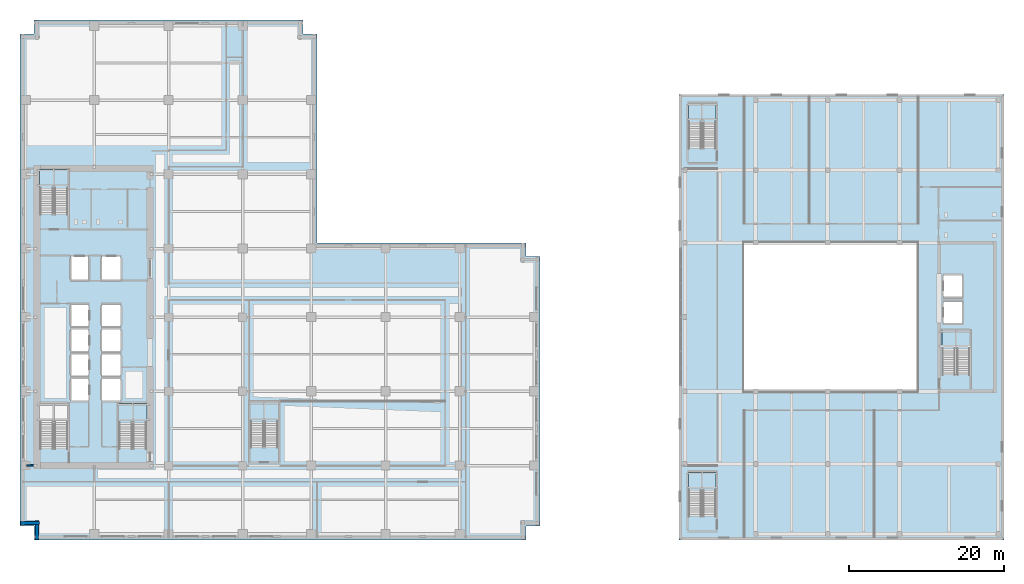
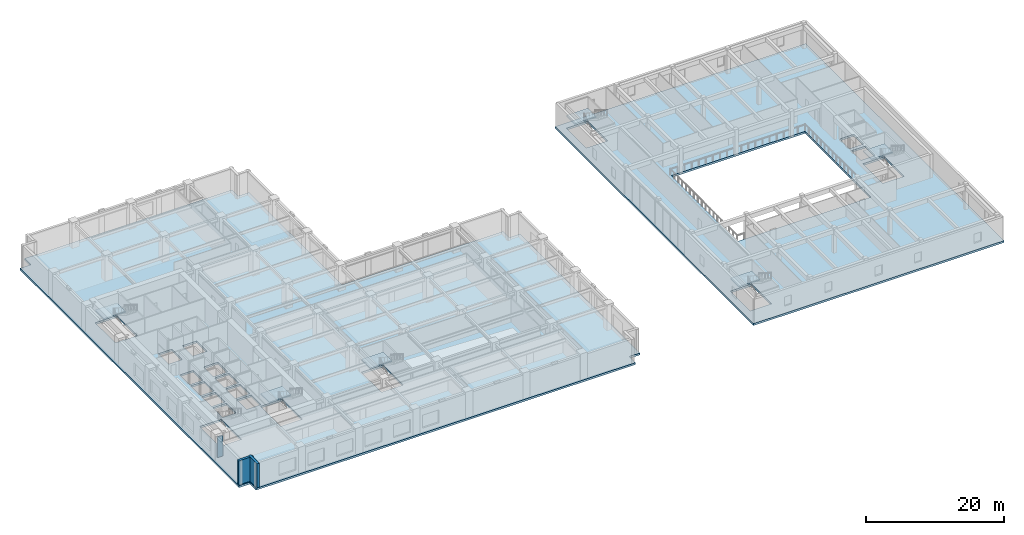
# One storey, part 4 of 24: 8 slabs, 3 walls, 6 elements without a shape of their own.
"""IFC4 building model written with IfcOpenShell, lengths in metres."""

from ifc_helpers import new_model, si_unit, direction, frame, frame_2d, origin, place, context, subcontext, project, spatial, polyline, rectangle, outline, extrude, material, layer, layer_set, type_object, element, aggregate, save


model = new_model("IFC4")

# Units and contexts
model_context = context("Model", 3, precision=1e-05, world=origin(), true_north=direction((0.0, 1.0)))
body_context = subcontext(model_context, "Body", "Model", "MODEL_VIEW")
ifc_project = project(units=[si_unit("LENGTHUNIT", "METRE"), si_unit("AREAUNIT", "SQUARE_METRE"), si_unit("VOLUMEUNIT", "CUBIC_METRE"), si_unit("PLANEANGLEUNIT", "RADIAN"), si_unit("MASSUNIT", "GRAM", prefix="KILO")], contexts=[model_context])

# Site, building, storey
site_placement = place(None, origin())
site = spatial("IfcSite", under=ifc_project, at=site_placement, CompositionType="ELEMENT")
building_placement = place(site_placement, origin())
building = spatial("IfcBuilding", under=site, at=building_placement, Name="Norrvale University Quadrangle", CompositionType="ELEMENT")
storey_placement = place(building_placement, frame((0.0, 0.0, 15.0)))
storey = spatial("IfcBuildingStorey", under=building, at=storey_placement, Name="L03", CompositionType="ELEMENT", Elevation=15.0)

# Stair, slab
ifc_material_1 = material(Name="Concrete C40/50", Category="concrete")
stair_type_1 = type_object("IfcStairType", Name="Stair Tower Pod 4600", PredefinedType="TWO_STRAIGHT_RUN_STAIR", material=ifc_material_1)
stair_1_placement = place(storey_placement, origin())
stair_1 = element("IfcStair", 1, at=stair_1_placement, inside=storey, type_object=stair_type_1, Name="Exit Stair ST-02 L03", PredefinedType="TWO_STRAIGHT_RUN_STAIR")
ifc_layer_1 = layer(ifc_material_1, 0.199951171875, Name="Concrete C40/50")
ifc_layer_set_1 = layer_set([ifc_layer_1], Name="Concrete C40/50")
slab_type_1 = type_object("IfcSlabType", Name="Slab Landing 200", PredefinedType="LANDING", material=ifc_layer_set_1)
slab_1_placement = place(storey_placement, frame((0.0, 0.0, 2.10009765625)))
slab_1 = element("IfcSlab", 2, at=slab_1_placement, type_object=slab_type_1, Name="Exit Stair ST-02 L03 Mid Landing", PredefinedType="LANDING", context=body_context, shape_type="SweptSolid", body=[
    extrude(outline(polyline([(2.550048828125, 45.409912109375), (6.199951171875, 45.409912109375), (6.199951171875, 47.949951171875), (2.550048828125, 47.949951171875), (2.550048828125, 45.409912109375)])), origin(), (0.0, 0.0, 1.0), 0.199951171875),
])
aggregate(stair_1, [slab_1])

stair_2_placement = place(storey_placement, origin())
stair_2 = element("IfcStair", 3, at=stair_2_placement, inside=storey, type_object=stair_type_1, Name="Exit Stair ST-03 L03", PredefinedType="TWO_STRAIGHT_RUN_STAIR")
slab_2_placement = place(storey_placement, frame((0.0, 0.0, 2.10009765625)))
slab_2 = element("IfcSlab", 4, at=slab_2_placement, type_object=slab_type_1, Name="Exit Stair ST-03 L03 Mid Landing", PredefinedType="LANDING", context=body_context, shape_type="SweptSolid", body=[
    extrude(outline(polyline([(12.75, 15.110107421875), (16.39990234375, 15.110107421875), (16.39990234375, 17.64990234375), (12.75, 17.64990234375), (12.75, 15.110107421875)])), origin(), (0.0, 0.0, 1.0), 0.199951171875),
])
aggregate(stair_2, [slab_2])

stair_3_placement = place(storey_placement, origin())
stair_3 = element("IfcStair", 5, at=stair_3_placement, inside=storey, type_object=stair_type_1, Name="Exit Stair ST-04 L03", PredefinedType="TWO_STRAIGHT_RUN_STAIR")
slab_3_placement = place(storey_placement, frame((0.0, 0.0, 2.10009765625)))
slab_3 = element("IfcSlab", 6, at=slab_3_placement, type_object=slab_type_1, Name="Exit Stair ST-04 L03 Mid Landing", PredefinedType="LANDING", context=body_context, shape_type="SweptSolid", body=[
    extrude(outline(polyline([(29.75, 15.260009765625), (33.39990234375, 15.260009765625), (33.39990234375, 17.800048828125), (29.75, 17.800048828125), (29.75, 15.260009765625)])), origin(), (0.0, 0.0, 1.0), 0.199951171875),
])
aggregate(stair_3, [slab_3])

stair_type_2 = type_object("IfcStairType", Name="Stair Lib 4600", PredefinedType="TWO_STRAIGHT_RUN_STAIR", material=ifc_material_1)
stair_4_placement = place(storey_placement, origin())
stair_4 = element("IfcStair", 7, at=stair_4_placement, inside=storey, type_object=stair_type_2, Name="Exit Stair ST-L1 L03", PredefinedType="TWO_STRAIGHT_RUN_STAIR")
slab_4_placement = place(storey_placement, frame((0.0, 0.0, 2.10009765625)))
slab_4 = element("IfcSlab", 8, at=slab_4_placement, type_object=slab_type_1, Name="Exit Stair ST-L1 L03 Mid Landing", PredefinedType="LANDING", context=body_context, shape_type="SweptSolid", body=[
    extrude(outline(polyline([(119.199951171875, 24.659912109375), (122.800048828125, 24.659912109375), (122.800048828125, 27.10009765625), (119.199951171875, 27.10009765625), (119.199951171875, 24.659912109375)])), origin(), (0.0, 0.0, 1.0), 0.199951171875),
])
aggregate(stair_4, [slab_4])

stair_5_placement = place(storey_placement, origin())
stair_5 = element("IfcStair", 9, at=stair_5_placement, inside=storey, type_object=stair_type_2, Name="Exit Stair ST-L2 L03", PredefinedType="TWO_STRAIGHT_RUN_STAIR")
slab_5_placement = place(storey_placement, frame((0.0, 0.0, 2.10009765625)))
slab_5 = element("IfcSlab", 10, at=slab_5_placement, type_object=slab_type_1, Name="Exit Stair ST-L2 L03 Mid Landing", PredefinedType="LANDING", context=body_context, shape_type="SweptSolid", body=[
    extrude(outline(polyline([(86.39990234375, 6.360107421875), (90.0, 6.360107421875), (90.0, 8.800048828125), (86.39990234375, 8.800048828125), (86.39990234375, 6.360107421875)])), origin(), (0.0, 0.0, 1.0), 0.199951171875),
])
aggregate(stair_5, [slab_5])

stair_6_placement = place(storey_placement, origin())
stair_6 = element("IfcStair", 11, at=stair_6_placement, inside=storey, type_object=stair_type_2, Name="Exit Stair ST-L3 L03", PredefinedType="TWO_STRAIGHT_RUN_STAIR")
slab_6_placement = place(storey_placement, frame((0.0, 0.0, 2.10009765625)))
slab_6 = element("IfcSlab", 12, at=slab_6_placement, type_object=slab_type_1, Name="Exit Stair ST-L3 L03 Mid Landing", PredefinedType="LANDING", context=body_context, shape_type="SweptSolid", body=[
    extrude(outline(polyline([(86.39990234375, 53.9599609375), (90.0, 53.9599609375), (90.0, 56.39990234375), (86.39990234375, 56.39990234375), (86.39990234375, 53.9599609375)])), origin(), (0.0, 0.0, 1.0), 0.199951171875),
])
aggregate(stair_6, [slab_6])

# Slabs
ifc_layer_2 = layer(ifc_material_1, 0.35009765625, Name="Concrete C40/50")
ifc_layer_set_2 = layer_set([ifc_layer_2], Name="Concrete C40/50")
slab_type_2 = type_object("IfcSlabType", Name="Slab Lib Stack 350", PredefinedType="FLOOR", material=ifc_layer_set_2)
slab_7_placement = place(storey_placement, frame((0.0, 0.0, -0.35009765625)))
element("IfcSlab", 13, at=slab_7_placement, inside=storey, type_object=slab_type_2, Name="Central Library L03 Floor Slab", PredefinedType="FLOOR", context=body_context, shape_type="SweptSolid", body=[
    extrude(outline(polyline([(85.199951171875, 0.0), (127.199951171875, 0.0), (127.199951171875, 57.60009765625), (85.199951171875, 57.60009765625), (85.199951171875, 0.0)]), holes=[polyline([(119.199951171875, 21.360107421875), (122.800048828125, 21.360107421875), (122.800048828125, 27.10009765625), (119.199951171875, 27.10009765625), (119.199951171875, 21.360107421875)]), polyline([(86.39990234375, 3.06005859375), (90.0, 3.06005859375), (90.0, 8.800048828125), (86.39990234375, 8.800048828125), (86.39990234375, 3.06005859375)]), polyline([(86.39990234375, 50.659912109375), (90.0, 50.659912109375), (90.0, 56.39990234375), (86.39990234375, 56.39990234375), (86.39990234375, 50.659912109375)]), polyline([(119.39990234375, 28.0), (121.800048828125, 28.0), (121.800048828125, 30.800048828125), (119.39990234375, 30.800048828125), (119.39990234375, 28.0)]), polyline([(119.39990234375, 31.39990234375), (121.800048828125, 31.39990234375), (121.800048828125, 34.199951171875), (119.39990234375, 34.199951171875), (119.39990234375, 31.39990234375)]), polyline([(93.60009765625, 19.199951171875), (116.0, 19.199951171875), (116.0, 38.39990234375), (93.60009765625, 38.39990234375), (93.60009765625, 19.199951171875)])]), origin(), (0.0, 0.0, 1.0), 0.35009765625),
])
ifc_layer_3 = layer(ifc_material_1, 0.340087890625, Name="Concrete C40/50")
ifc_layer_set_3 = layer_set([ifc_layer_3], Name="Concrete C40/50")
slab_type_3 = type_object("IfcSlabType", Name="Slab Podium 340", PredefinedType="FLOOR", material=ifc_layer_set_3)
slab_8_placement = place(storey_placement, frame((0.0, 0.0, -0.340087890625)))
element("IfcSlab", 14, at=slab_8_placement, inside=storey, type_object=slab_type_3, Name="Tower L03 Floor Slab", PredefinedType="FLOOR", context=body_context, shape_type="SweptSolid", body=[
    extrude(outline(polyline([(1.800048828125, 0.0), (65.39990234375, 0.0), (65.39990234375, 1.800048828125), (67.199951171875, 1.800048828125), (67.199951171875, 36.60009765625), (65.39990234375, 36.60009765625), (65.39990234375, 38.39990234375), (38.39990234375, 38.39990234375), (38.39990234375, 65.39990234375), (36.60009765625, 65.39990234375), (36.60009765625, 67.199951171875), (1.800048828125, 67.199951171875), (1.800048828125, 65.39990234375), (0.0, 65.39990234375), (0.0, 1.800048828125), (1.800048828125, 1.800048828125), (1.800048828125, 0.0)]), holes=[polyline([(2.550048828125, 11.81005859375), (6.199951171875, 11.81005859375), (6.199951171875, 17.64990234375), (2.550048828125, 17.64990234375), (2.550048828125, 11.81005859375)]), polyline([(2.550048828125, 42.110107421875), (6.199951171875, 42.110107421875), (6.199951171875, 47.949951171875), (2.550048828125, 47.949951171875), (2.550048828125, 42.110107421875)]), polyline([(12.75, 11.81005859375), (16.39990234375, 11.81005859375), (16.39990234375, 17.64990234375), (12.75, 17.64990234375), (12.75, 11.81005859375)]), polyline([(29.75, 11.9599609375), (33.39990234375, 11.9599609375), (33.39990234375, 17.800048828125), (29.75, 17.800048828125), (29.75, 11.9599609375)]), polyline([(6.60009765625, 18.0), (8.85009765625, 18.0), (8.85009765625, 20.800048828125), (6.60009765625, 20.800048828125), (6.60009765625, 18.0)]), polyline([(6.60009765625, 21.199951171875), (8.85009765625, 21.199951171875), (8.85009765625, 24.0), (6.60009765625, 24.0), (6.60009765625, 21.199951171875)]), polyline([(6.60009765625, 24.39990234375), (8.85009765625, 24.39990234375), (8.85009765625, 27.199951171875), (6.60009765625, 27.199951171875), (6.60009765625, 24.39990234375)]), polyline([(6.60009765625, 27.60009765625), (8.85009765625, 27.60009765625), (8.85009765625, 30.39990234375), (6.60009765625, 30.39990234375), (6.60009765625, 27.60009765625)]), polyline([(10.60009765625, 18.0), (13.0, 18.0), (13.0, 20.800048828125), (10.60009765625, 20.800048828125), (10.60009765625, 18.0)]), polyline([(10.60009765625, 21.199951171875), (13.0, 21.199951171875), (13.0, 24.0), (10.60009765625, 24.0), (10.60009765625, 21.199951171875)]), polyline([(10.60009765625, 24.39990234375), (13.0, 24.39990234375), (13.0, 27.199951171875), (10.60009765625, 27.199951171875), (10.60009765625, 24.39990234375)]), polyline([(10.60009765625, 27.60009765625), (13.0, 27.60009765625), (13.0, 30.39990234375), (10.60009765625, 30.39990234375), (10.60009765625, 27.60009765625)]), polyline([(6.60009765625, 33.60009765625), (8.85009765625, 33.60009765625), (8.85009765625, 36.60009765625), (6.60009765625, 36.60009765625), (6.60009765625, 33.60009765625)]), polyline([(10.60009765625, 33.60009765625), (13.0, 33.60009765625), (13.0, 36.60009765625), (10.60009765625, 36.60009765625), (10.60009765625, 33.60009765625)])]), origin(), (0.0, 0.0, 1.0), 0.340087890625),
])

# Walls
ifc_material_2 = material(Name="Concrete Blockwork 20 MPa Rated Wall", Category="masonry")
ifc_layer_4 = layer(ifc_material_2, 0.199951171875, Name="Concrete Blockwork 20 MPa Rated Wall")
ifc_layer_set_4 = layer_set([ifc_layer_4], Name="Concrete Blockwork 20 MPa Rated Wall")
wall_type_1 = type_object("IfcWallType", Name="Wall Lobby 200", PredefinedType="SOLIDWALL", material=ifc_layer_set_4)
wall_placement = place(storey_placement, frame((0.85009765625, 9.60009765625, 0.0), z_axis=(0.0, 0.0, 1.0), x_axis=(1.0, 0.0, 0.0)))
element("IfcWall", 15, at=wall_placement, inside=storey, type_object=wall_type_1, Name="Interior Partition WL-L03-CWRET-S", PredefinedType="SOLIDWALL", context=body_context, shape_type="SweptSolid", body=[
    extrude(rectangle(XDim=0.89501953125, YDim=0.199951171875, at=frame_2d((0.447509765625, 0.0))), origin(), (0.0, 0.0, 1.0), 3.64404296875),
])
ifc_material_3 = material(Name="Red Manganese Brick Masonry", Category="masonry")
ifc_layer_5 = layer(ifc_material_3, 0.39990234375, Name="Red Manganese Brick Masonry")
ifc_layer_set_5 = layer_set([ifc_layer_5], Name="Red Manganese Brick Masonry")
wall_type_2 = type_object("IfcWallType", Name="Wall Red Brick 400", PredefinedType="SOLIDWALL", material=ifc_layer_set_5)
for number, where, z_axis, x_axis, name in (
    (16, (0.0400390625, 2.179931640625, 0.0), (0.0, 0.0, 1.0), (1.0, 0.0, 0.0), "Exterior Brick Facade Wall L03-15.1"),
    (17, (2.179931640625, 2.52001953125, 0.0), (0.0, 0.0, 1.0), (0.0, -1.0, 0.0), "Exterior Brick Facade Wall L03-16.1"),
):
    element("IfcWall", number, at=place(storey_placement, frame(where, z_axis=z_axis, x_axis=x_axis)), inside=storey, type_object=wall_type_2, Name=name, PredefinedType="SOLIDWALL", context=body_context, shape_type="SweptSolid", body=[
        extrude(rectangle(XDim=2.47998046875, YDim=0.39990234375, at=frame_2d((1.239990234375, 0.0))), origin(), (0.0, 0.0, 1.0), 4.260009765625),
    ])

save(model, "model.ifc")
